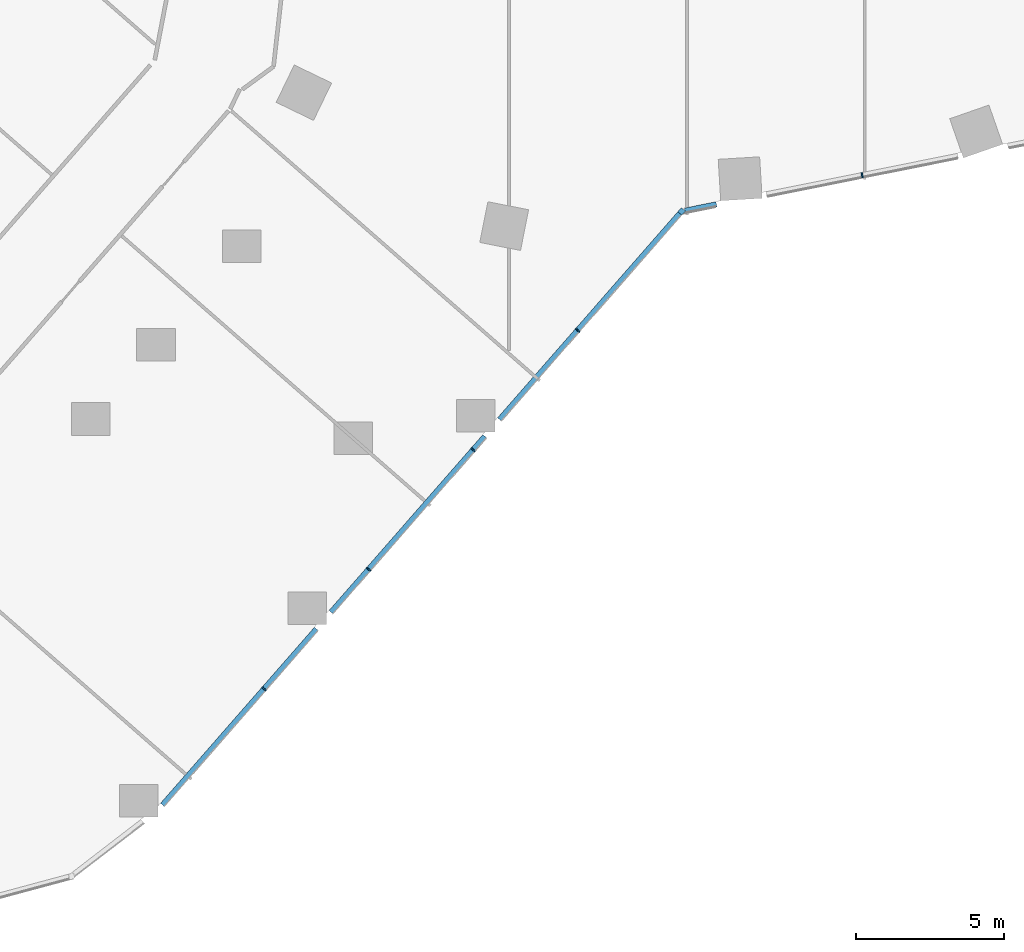
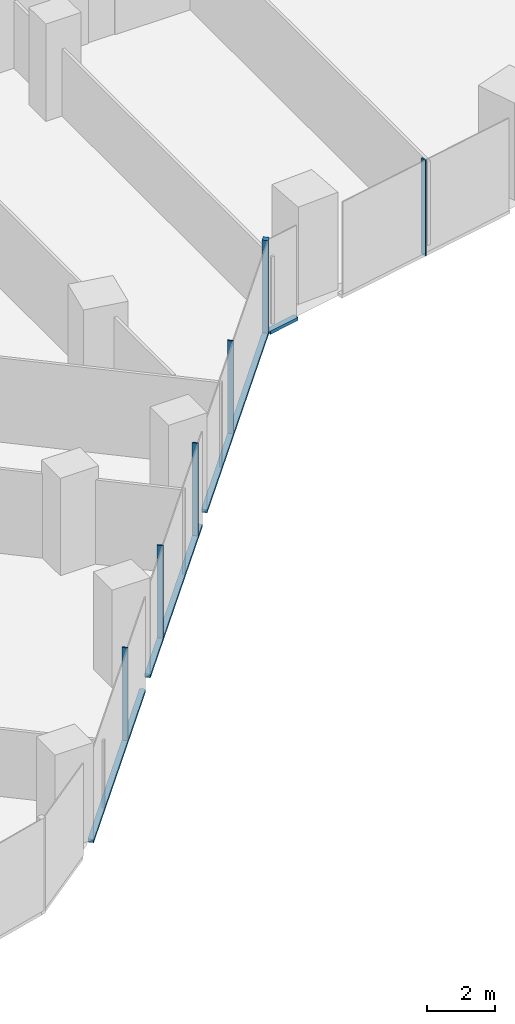
# One storey, part 4 of 38: 10 members, 2 elements without a shape of their own.
"""IFC4 building model written with IfcOpenShell, lengths in metres."""

import ifcopenshell
import ifcopenshell.guid

model = None  # the IFC model being written
_history = None  # IfcOwnerHistory: only IFC2X3 demands one
_inside = {}  # id of a spatial element -> (the spatial element, [elements in it])
_under = {}  # id of a project, library or spatial element -> (it, [spatial elements below it])
_declared = {}  # id of a project -> (the project, [libraries it declares])
_typed = {}  # id of a type object -> (the type object, [elements of that type])
_made_of = {}  # id of a material, layer set ... -> (it, [elements and type objects made of it])


def new_model(schema):
    """Start an empty IFC model of exactly this schema.

    Asked for "IFC4X3", IfcOpenShell would pick the latest addendum, in which some entities
    have other attributes; the version numbers below select the first issue.
    IFC2X3 requires an IfcOwnerHistory on every rooted entity: one is made here for all.
    """
    global model, _history
    if schema == "IFC4X3":
        model = ifcopenshell.file(schema_version=(4, 3, 0, 0))
    else:
        model = ifcopenshell.file(schema=schema)
    _inside.clear()
    _under.clear()
    _declared.clear()
    _typed.clear()
    _made_of.clear()
    _history = None
    if model.schema == "IFC2X3":
        org = make("IfcOrganization", Name="unknown")
        user = make(
            "IfcPersonAndOrganization",
            ThePerson=make("IfcPerson", FamilyName="unknown"),
            TheOrganization=org,
        )
        app = make(
            "IfcApplication",
            ApplicationDeveloper=org,
            Version="unknown",
            ApplicationFullName="unknown",
            ApplicationIdentifier="unknown",
        )
        _history = make(
            "IfcOwnerHistory",
            OwningUser=user,
            OwningApplication=app,
            ChangeAction="ADDED",
            CreationDate=0,
        )
    return model


def make(cls, **values):
    """One entity of the class cls with the attributes given. An attribute that is None is left unset."""
    return model.create_entity(
        cls, **{name: value for name, value in values.items() if value is not None}
    )


def rooted(cls, **values):
    """An entity with a GlobalId (a new one), such as an element, a storey or a relation."""
    return make(cls, GlobalId=ifcopenshell.guid.new(), OwnerHistory=_history, **values)


def si_unit(unit_type, name, prefix=None):
    """IfcSIUnit, for example si_unit("LENGTHUNIT", "METRE", prefix="MILLI")."""
    return make("IfcSIUnit", UnitType=unit_type, Prefix=prefix, Name=name)


def assignment(units):
    """IfcUnitAssignment: the units of a project."""
    return None if units is None else make("IfcUnitAssignment", Units=units)


def point(xyz):
    """IfcCartesianPoint."""
    return None if xyz is None else make("IfcCartesianPoint", Coordinates=xyz)


def direction(xyz):
    """IfcDirection."""
    return None if xyz is None else make("IfcDirection", DirectionRatios=xyz)


def frame(location, z_axis=None, x_axis=None):
    """IfcAxis2Placement3D, a coordinate frame: its origin and axes. An axis left out is left unset."""
    return make(
        "IfcAxis2Placement3D",
        Location=point(location),
        Axis=direction(z_axis),
        RefDirection=direction(x_axis),
    )


def frame_2d(location, x_axis=None):
    """IfcAxis2Placement2D, a coordinate frame in the plane: its origin and x axis."""
    return make(
        "IfcAxis2Placement2D", Location=point(location), RefDirection=direction(x_axis)
    )


def origin():
    """The frame at (0, 0, 0) with its axes left unset."""
    return frame((0.0, 0.0, 0.0))


def origin_2d():
    """The frame at (0, 0) in the plane with its x axis left unset."""
    return frame_2d((0.0, 0.0))


def place(relative_to, where):
    """IfcLocalPlacement: puts the frame where relative to a parent placement (None: the world)."""
    return make(
        "IfcLocalPlacement", PlacementRelTo=relative_to, RelativePlacement=where
    )


def context(
    kind, dimensions, precision=None, world=None, true_north=None, identifier=None
):
    """IfcGeometricRepresentationContext, for example the 3D "Model" context."""
    return make(
        "IfcGeometricRepresentationContext",
        ContextIdentifier=identifier,
        ContextType=kind,
        CoordinateSpaceDimension=dimensions,
        Precision=precision,
        WorldCoordinateSystem=world,
        TrueNorth=true_north,
    )


def subcontext(parent, identifier, kind, view, scale=None):
    """IfcGeometricRepresentationSubContext, for example "Body" below "Model"."""
    return make(
        "IfcGeometricRepresentationSubContext",
        ContextIdentifier=identifier,
        ContextType=kind,
        ParentContext=parent,
        TargetScale=scale,
        TargetView=view,
    )


def project(units=None, contexts=None):
    """IfcProject with its units and contexts."""
    return rooted(
        "IfcProject",
        Name="project",
        RepresentationContexts=contexts,
        UnitsInContext=assignment(units),
    )


def spatial(cls, under=None, at=None, **own):
    """A site, building, storey or space (cls), placed at a placement, below another one or the project."""
    s = rooted(cls, ObjectPlacement=at, **own)
    if under is not None:
        _under.setdefault(under.id(), (under, []))[1].append(s)
    return s


def profile(cls, at=None, kind="AREA", **sizes):
    """A parametric profile (cls). Its sizes go by their IFC names, for example OverallWidth=200.0."""
    return make(cls, ProfileType=kind, Position=at, **sizes)


def rectangle(**sizes):
    """IfcRectangleProfileDef."""
    return profile("IfcRectangleProfileDef", **sizes)


def extrude(swept, where, along, depth):
    """IfcExtrudedAreaSolid: the profile swept, set in the frame where, extruded along a direction by depth."""
    return make(
        "IfcExtrudedAreaSolid",
        SweptArea=swept,
        Position=where,
        ExtrudedDirection=direction(along),
        Depth=depth,
    )


def shape(context_of_items, identifier, shape_type, items):
    """IfcShapeRepresentation: the items that make up one representation, for example the "Body"."""
    return make(
        "IfcShapeRepresentation",
        ContextOfItems=context_of_items,
        RepresentationIdentifier=identifier,
        RepresentationType=shape_type,
        Items=items,
    )


def material(Name=None, Category=None):
    """IfcMaterial."""
    return make("IfcMaterial", Name=Name, Category=Category)


def material_profile(
    of_material, cross_section, Name=None, Category=None, Priority=None
):
    """IfcMaterialProfile: a cross section and its material."""
    return make(
        "IfcMaterialProfile",
        Name=Name,
        Material=of_material,
        Profile=cross_section,
        Priority=Priority,
        Category=Category,
    )


def profile_set(profiles, Name=None, composite=None):
    """IfcMaterialProfileSet."""
    return make(
        "IfcMaterialProfileSet",
        Name=Name,
        MaterialProfiles=profiles,
        CompositeProfile=composite,
    )


def made_of(thing, what):
    """Note that an element or type object is made of a material, layer set ...; save() writes the relation."""
    if what is not None:
        _made_of.setdefault(what.id(), (what, []))[1].append(thing)
    return thing


def type_object(cls, material=None, **own):
    """A type object (cls), such as IfcWallType, which elements share."""
    return made_of(rooted(cls, **own), material)


def element(
    cls,
    number,
    at=None,
    inside=None,
    cuts=None,
    type_object=None,
    material=None,
    context=None,
    identifier="Body",
    shape_type=None,
    held_by="IfcProductDefinitionShape",
    body=None,
    shapes=None,
    **own,
):
    """One element of the class cls, such as IfcWall. Its Tag is "e" and its number.

    at: its placement. inside: the storey or other place that contains it. cuts: it is an
    opening in that element (IfcRelVoidsElement). A single representation is given by context,
    identifier, shape_type and body (its items); several are given by shapes. held_by: the class
    of the entity that holds the representations. save() writes the other relations.
    """
    e = rooted(cls, Tag="e%d" % number, ObjectPlacement=at, **own)
    if body is not None:
        shapes = [shape(context, identifier, shape_type, body)]
    if shapes is not None:
        e.Representation = make(held_by, Representations=shapes)
    if inside is not None:
        _inside.setdefault(inside.id(), (inside, []))[1].append(e)
    if cuts is not None:
        rooted(
            "IfcRelVoidsElement", RelatingBuildingElement=cuts, RelatedOpeningElement=e
        )
    if type_object is not None:
        _typed.setdefault(type_object.id(), (type_object, []))[1].append(e)
    return made_of(e, material)


def aggregate(whole, parts):
    """IfcRelAggregates: a whole, such as a stair, and the parts it consists of."""
    return rooted("IfcRelAggregates", RelatingObject=whole, RelatedObjects=parts)


def save(model, path):
    """Write the relations noted so far, then the file.

    IfcRelAggregates (storeys below a building ...), IfcRelContainedInSpatialStructure (elements
    in a storey), IfcRelDefinesByType, IfcRelAssociatesMaterial and IfcRelDeclares: one each for
    every whole, place, type object, material and project.
    """
    for whole, parts in _under.values():
        aggregate(whole, parts)
    for where, things in _inside.values():
        rooted(
            "IfcRelContainedInSpatialStructure",
            RelatedElements=things,
            RelatingStructure=where,
        )
    for kind, things in _typed.values():
        rooted("IfcRelDefinesByType", RelatedObjects=things, RelatingType=kind)
    for what, things in _made_of.values():
        rooted("IfcRelAssociatesMaterial", RelatedObjects=things, RelatingMaterial=what)
    for by, libraries in _declared.values():
        rooted("IfcRelDeclares", RelatingContext=by, RelatedDefinitions=libraries)
    model.write(path)


model = new_model("IFC4")

# Units and contexts
model_context = context("Model", 3, precision=1e-05, world=origin(), true_north=direction((0.0, 1.0)))
body_context = subcontext(model_context, "Body", "Model", "MODEL_VIEW")
ifc_project = project(units=[si_unit("LENGTHUNIT", "METRE"), si_unit("AREAUNIT", "SQUARE_METRE"), si_unit("VOLUMEUNIT", "CUBIC_METRE"), si_unit("PLANEANGLEUNIT", "RADIAN"), si_unit("MASSUNIT", "GRAM", prefix="KILO")], contexts=[model_context])

# Site, building, storey
site_placement = place(None, origin())
site = spatial("IfcSite", under=ifc_project, at=site_placement, CompositionType="ELEMENT")
building_placement = place(site_placement, origin())
building = spatial("IfcBuilding", under=site, at=building_placement, Name="Orlundy Tower", CompositionType="ELEMENT")
storey_placement = place(building_placement, frame((0.0, 0.0, 69.300048828125)))
storey = spatial("IfcBuildingStorey", under=building, at=storey_placement, Name="L16", CompositionType="ELEMENT", Elevation=69.300048828125)

# Curtain wall, member
ifc_material_1 = material(Name="Aluminium bronze anodised", Category="aluminium")
curtain_wall_type = type_object("IfcCurtainWallType", Name="CW1 wall", PredefinedType="NOTDEFINED", material=ifc_material_1)
curtain_wall_1_placement = place(storey_placement, origin())
curtain_wall_1 = element("IfcCurtainWall", 1, at=curtain_wall_1_placement, inside=storey, type_object=curtain_wall_type, Name="CW1 run 02", PredefinedType="NOTDEFINED")
ifc_material_2 = material(Name="Aluminium bronze anodised", Category="aluminium")
ifc_material_profile_1 = material_profile(ifc_material_2, rectangle(XDim=0.179931640625, YDim=0.179931640625, at=origin_2d()), Name="CW1 corner post 180x180")
ifc_profile_set_1 = profile_set([ifc_material_profile_1], Name="Aluminium bronze anodised")
member_type_1 = type_object("IfcMemberType", Name="CW1 corner post 180x180", PredefinedType="MULLION", material=ifc_profile_set_1)
member_1_placement = place(storey_placement, frame((-0.178466796875, -30.72412109375, -0.400146484375), z_axis=(0.0, 0.0, 1.0), x_axis=(0.752791745563, -0.658258754452, 0.0)))
member_1 = element("IfcMember", 2, at=member_1_placement, type_object=member_type_1, Name="CW1 mullion 9", PredefinedType="MULLION", context=body_context, shape_type="SweptSolid", body=[
    extrude(rectangle(XDim=0.179931640625, YDim=0.179931640625, at=origin_2d()), origin(), (0.0, 0.0, 1.0), 3.4501953125),
])

curtain_wall_2_placement = place(storey_placement, origin())
curtain_wall_2 = element("IfcCurtainWall", 3, at=curtain_wall_2_placement, inside=storey, type_object=curtain_wall_type, Name="CW1 run 01", PredefinedType="NOTDEFINED")
ifc_material_3 = material(Name="Aluminium bronze anodised", Category="aluminium")
ifc_material_profile_2 = material_profile(ifc_material_3, rectangle(XDim=0.179931640625, YDim=0.050048828125, at=origin_2d()), Name="CW1 mullion 50x180")
ifc_profile_set_2 = profile_set([ifc_material_profile_2], Name="Aluminium bronze anodised")
member_type_2 = type_object("IfcMemberType", Name="CW1 mullion 50x180", PredefinedType="MULLION", material=ifc_profile_set_2)
member_2_placement = place(storey_placement, frame((5.9130859375, -29.503173828125, -0.400146484375), z_axis=(0.0, 0.0, 1.0), x_axis=(0.196531950572, -0.980497420907, 0.0)))
member_2 = element("IfcMember", 4, at=member_2_placement, type_object=member_type_2, Name="CW1 mullion 8", PredefinedType="MULLION", context=body_context, shape_type="SweptSolid", body=[
    extrude(rectangle(XDim=0.179931640625, YDim=0.050048828125, at=origin_2d()), origin(), (0.0, 0.0, 1.0), 3.4501953125),
])

# Member
member_3_placement = place(storey_placement, frame((-3.6845703125, -34.73388671875, -0.400146484375), z_axis=(0.0, 0.0, 1.0), x_axis=(0.752791745563, -0.658258754452, 0.0)))
member_3 = element("IfcMember", 5, at=member_3_placement, type_object=member_type_2, Name="CW1 mullion 10", PredefinedType="MULLION", context=body_context, shape_type="SweptSolid", body=[
    extrude(rectangle(XDim=0.179931640625, YDim=0.050048828125, at=origin_2d()), origin(), (0.0, 0.0, 1.0), 3.4501953125),
])

member_4_placement = place(storey_placement, frame((-7.210693359375, -38.766357421875, -0.400146484375), z_axis=(0.0, 0.0, 1.0), x_axis=(0.752791745563, -0.658258754452, 0.0)))
member_4 = element("IfcMember", 6, at=member_4_placement, type_object=member_type_2, Name="CW1 mullion 11", PredefinedType="MULLION", context=body_context, shape_type="SweptSolid", body=[
    extrude(rectangle(XDim=0.179931640625, YDim=0.050048828125, at=origin_2d()), origin(), (0.0, 0.0, 1.0), 3.4501953125),
])

member_5_placement = place(storey_placement, frame((-10.73681640625, -42.799072265625, -0.400146484375), z_axis=(0.0, 0.0, 1.0), x_axis=(0.752791745563, -0.658258754452, 0.0)))
member_5 = element("IfcMember", 7, at=member_5_placement, type_object=member_type_2, Name="CW1 mullion 12", PredefinedType="MULLION", context=body_context, shape_type="SweptSolid", body=[
    extrude(rectangle(XDim=0.179931640625, YDim=0.050048828125, at=origin_2d()), origin(), (0.0, 0.0, 1.0), 3.4501953125),
])

member_6_placement = place(storey_placement, frame((-14.262939453125, -46.83154296875, -0.400146484375), z_axis=(0.0, 0.0, 1.0), x_axis=(0.752791745563, -0.658258754452, 0.0)))
member_6 = element("IfcMember", 8, at=member_6_placement, type_object=member_type_2, Name="CW1 mullion 13", PredefinedType="MULLION", context=body_context, shape_type="SweptSolid", body=[
    extrude(rectangle(XDim=0.179931640625, YDim=0.050048828125, at=origin_2d()), origin(), (0.0, 0.0, 1.0), 3.4501953125),
])

ifc_material_4 = material(Name="Aluminium bronze anodised", Category="aluminium")
ifc_material_profile_3 = material_profile(ifc_material_4, rectangle(XDim=0.179931640625, YDim=0.1201171875, at=origin_2d()), Name="CW1 transom 180x120")
ifc_profile_set_3 = profile_set([ifc_material_profile_3], Name="Aluminium bronze anodised")
member_type_3 = type_object("IfcMemberType", Name="CW1 transom 180x120", PredefinedType="USERDEFINED", material=ifc_profile_set_3)
member_7_placement = place(storey_placement, frame((0.997802734375, -30.488525390625, -0.340087890625), z_axis=(-0.980511450145, -0.196461945765, 0.0), x_axis=(0.196461945765, -0.980511450145, 0.0)))
member_7 = element("IfcMember", 9, at=member_7_placement, type_object=member_type_3, Name="CW1 transom", ObjectType="TRANSOM", PredefinedType="USERDEFINED", context=body_context, shape_type="SweptSolid", body=[
    extrude(rectangle(XDim=0.179931640625, YDim=0.1201171875, at=origin_2d()), origin(), (0.0, 0.0, 1.0), 1.086181640625),
])

aggregate(curtain_wall_2, [member_2, member_7])

member_8_placement = place(storey_placement, frame((-0.237548828125, -30.7919921875, -0.340087890625), z_axis=(-0.658268809442, -0.752782953125, 0.0), x_axis=(0.752782953125, -0.658268809442, 0.0)))
member_8 = element("IfcMember", 10, at=member_8_placement, type_object=member_type_3, Name="CW1 transom", ObjectType="TRANSOM", PredefinedType="USERDEFINED", context=body_context, shape_type="SweptSolid", body=[
    extrude(rectangle(XDim=0.179931640625, YDim=0.1201171875, at=origin_2d()), origin(), (0.0, 0.0, 1.0), 9.2373046875),
])

member_9_placement = place(storey_placement, frame((-6.813232421875, -38.31201171875, -0.340087890625), z_axis=(-0.658267711091, -0.752783913573, 0.0), x_axis=(0.752783913573, -0.658267711091, 0.0)))
member_9 = element("IfcMember", 11, at=member_9_placement, type_object=member_type_3, Name="CW1 transom", ObjectType="TRANSOM", PredefinedType="USERDEFINED", context=body_context, shape_type="SweptSolid", body=[
    extrude(rectangle(XDim=0.179931640625, YDim=0.1201171875, at=origin_2d()), origin(), (0.0, 0.0, 1.0), 7.880859375),
])

member_10_placement = place(storey_placement, frame((-12.4970703125, -44.81201171875, -0.340087890625), z_axis=(-0.65825685111, -0.752793409885, 0.0), x_axis=(0.752793409885, -0.65825685111, 0.0)))
member_10 = element("IfcMember", 12, at=member_10_placement, type_object=member_type_3, Name="CW1 transom", ObjectType="TRANSOM", PredefinedType="USERDEFINED", context=body_context, shape_type="SweptSolid", body=[
    extrude(rectangle(XDim=0.179931640625, YDim=0.1201171875, at=origin_2d()), origin(), (0.0, 0.0, 1.0), 7.88427734375),
])

aggregate(curtain_wall_1, [member_1, member_3, member_4, member_5, member_6, member_8, member_9, member_10])

save(model, "model.ifc")
